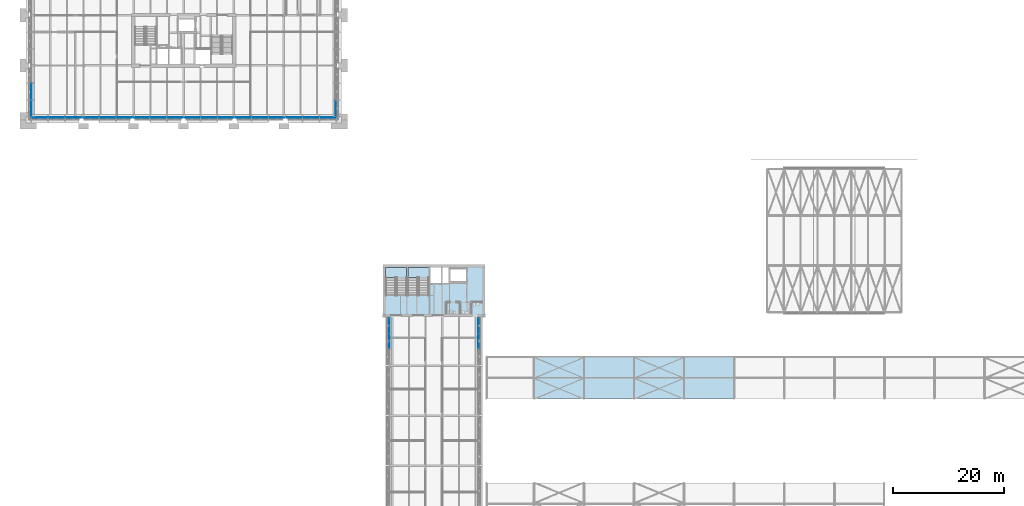
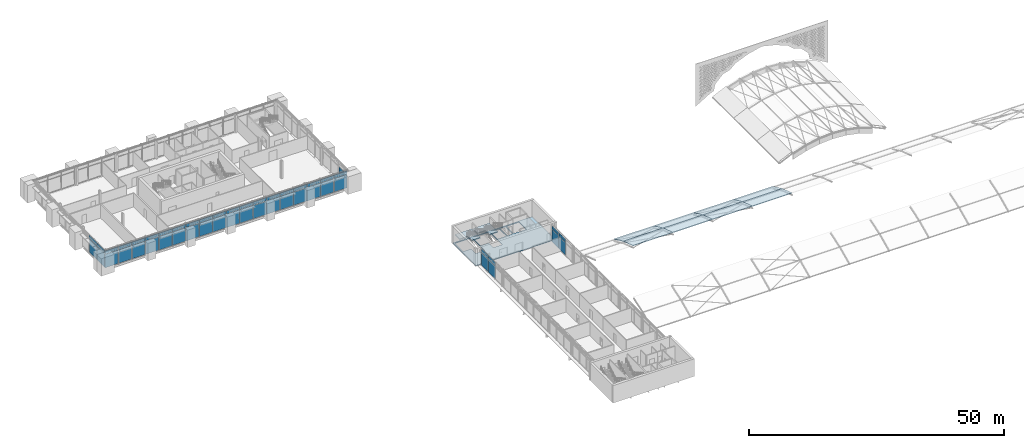
# One storey, part 18 of 54: 49 plates, 11 slabs, 7 elements without a shape of their own.
"""IFC4 building model written with IfcOpenShell, lengths in metres."""

from ifc_helpers import new_model, si_unit, direction, frame, origin, origin_2d, place, context, subcontext, project, spatial, polyline, rectangle, outline, extrude, material, layer, layer_set, type_object, element, aggregate, save


model = new_model("IFC4")

# Units and contexts
model_context = context("Model", 3, precision=1e-05, world=origin(), true_north=direction((0.0, 1.0)))
body_context = subcontext(model_context, "Body", "Model", "MODEL_VIEW")
ifc_project = project(units=[si_unit("LENGTHUNIT", "METRE"), si_unit("AREAUNIT", "SQUARE_METRE"), si_unit("VOLUMEUNIT", "CUBIC_METRE"), si_unit("PLANEANGLEUNIT", "RADIAN"), si_unit("MASSUNIT", "GRAM", prefix="KILO")], contexts=[model_context])

# Site, building, storey
site_placement = place(None, origin())
site = spatial("IfcSite", under=ifc_project, at=site_placement, CompositionType="ELEMENT")
building_placement = place(site_placement, origin())
building = spatial("IfcBuilding", under=site, at=building_placement, Name="Baradari Gate Terminus", CompositionType="ELEMENT")
storey_placement = place(building_placement, frame((0.0, 0.0, 15.89990234375)))
storey = spatial("IfcBuildingStorey", under=building, at=storey_placement, Name="L03", CompositionType="ELEMENT", Elevation=15.89990234375)

# Curtain wall, plates
ifc_material_1 = material(Name="Aluminium 6063-T6", Category="aluminium")
curtain_wall_type_1 = type_object("IfcCurtainWallType", Name="Curtain wall CW-1 block unitised, zone L02-L05", PredefinedType="NOTDEFINED", material=ifc_material_1)
curtain_wall_1_placement = place(storey_placement, origin())
curtain_wall_1 = element("IfcCurtainWall", 1, at=curtain_wall_1_placement, inside=storey, type_object=curtain_wall_type_1, Name="Curtain wall CW-1 Operations block S face L03", PredefinedType="NOTDEFINED")
ifc_material_2 = material(Name="Insulating glass unit", Category="glass")
ifc_layer_1 = layer(ifc_material_2, 0.030029296875)
ifc_layer_set_1 = layer_set([ifc_layer_1], Name="Insulating glass unit")
plate_type_1 = type_object("IfcPlateType", Name="Curtain wall glazing unit CP-1 30", PredefinedType="CURTAIN_PANEL", material=ifc_layer_set_1)
plate_1_placement = place(storey_placement, frame((10.072265625, 116.6298828125, 0.06494140625), z_axis=(0.0, 0.0, 1.0), x_axis=(1.0, 0.0, 0.0)))
plate_1 = element("IfcPlate", 2, at=plate_1_placement, type_object=plate_type_1, Name="CW-1 panel 1.1", PredefinedType="CURTAIN_PANEL", context=body_context, shape_type="SweptSolid", body=[
    extrude(rectangle(XDim=2.954833984375, YDim=0.030029296875, at=origin_2d()), origin(), (0.0, 0.0, 1.0), 3.202392578125),
])
plate_2_placement = place(storey_placement, frame((13.1083984375, 116.6298828125, 0.06494140625), z_axis=(0.0, 0.0, 1.0), x_axis=(1.0, 0.0, 0.0)))
plate_2 = element("IfcPlate", 3, at=plate_2_placement, type_object=plate_type_1, Name="CW-1 panel 2.1", PredefinedType="CURTAIN_PANEL", context=body_context, shape_type="SweptSolid", body=[
    extrude(rectangle(XDim=2.9873046875, YDim=0.030029296875, at=origin_2d()), origin(), (0.0, 0.0, 1.0), 3.202392578125),
])
plate_3_placement = place(storey_placement, frame((16.16064453125, 116.6298828125, 0.06494140625), z_axis=(0.0, 0.0, 1.0), x_axis=(1.0, 0.0, 0.0)))
plate_3 = element("IfcPlate", 4, at=plate_3_placement, type_object=plate_type_1, Name="CW-1 panel 3.1", PredefinedType="CURTAIN_PANEL", context=body_context, shape_type="SweptSolid", body=[
    extrude(rectangle(XDim=2.9873046875, YDim=0.030029296875, at=origin_2d()), origin(), (0.0, 0.0, 1.0), 3.202392578125),
])
plate_4_placement = place(storey_placement, frame((19.212890625, 116.6298828125, 0.06494140625), z_axis=(0.0, 0.0, 1.0), x_axis=(1.0, 0.0, 0.0)))
plate_4 = element("IfcPlate", 5, at=plate_4_placement, type_object=plate_type_1, Name="CW-1 panel 4.1", PredefinedType="CURTAIN_PANEL", context=body_context, shape_type="SweptSolid", body=[
    extrude(rectangle(XDim=2.9873046875, YDim=0.030029296875, at=origin_2d()), origin(), (0.0, 0.0, 1.0), 3.202392578125),
])
plate_5_placement = place(storey_placement, frame((22.264892578125, 116.6298828125, 0.06494140625), z_axis=(0.0, 0.0, 1.0), x_axis=(1.0, 0.0, 0.0)))
plate_5 = element("IfcPlate", 6, at=plate_5_placement, type_object=plate_type_1, Name="CW-1 panel 5.1", PredefinedType="CURTAIN_PANEL", context=body_context, shape_type="SweptSolid", body=[
    extrude(rectangle(XDim=2.9873046875, YDim=0.030029296875, at=origin_2d()), origin(), (0.0, 0.0, 1.0), 3.202392578125),
])
plate_6_placement = place(storey_placement, frame((25.317138671875, 116.6298828125, 0.06494140625), z_axis=(0.0, 0.0, 1.0), x_axis=(1.0, 0.0, 0.0)))
plate_6 = element("IfcPlate", 7, at=plate_6_placement, type_object=plate_type_1, Name="CW-1 panel 6.1", PredefinedType="CURTAIN_PANEL", context=body_context, shape_type="SweptSolid", body=[
    extrude(rectangle(XDim=2.9873046875, YDim=0.030029296875, at=origin_2d()), origin(), (0.0, 0.0, 1.0), 3.202392578125),
])
plate_7_placement = place(storey_placement, frame((28.369384765625, 116.6298828125, 0.06494140625), z_axis=(0.0, 0.0, 1.0), x_axis=(1.0, 0.0, 0.0)))
plate_7 = element("IfcPlate", 8, at=plate_7_placement, type_object=plate_type_1, Name="CW-1 panel 7.1", PredefinedType="CURTAIN_PANEL", context=body_context, shape_type="SweptSolid", body=[
    extrude(rectangle(XDim=2.9873046875, YDim=0.030029296875, at=origin_2d()), origin(), (0.0, 0.0, 1.0), 3.202392578125),
])
plate_8_placement = place(storey_placement, frame((31.421630859375, 116.6298828125, 0.06494140625), z_axis=(0.0, 0.0, 1.0), x_axis=(1.0, 0.0, 0.0)))
plate_8 = element("IfcPlate", 9, at=plate_8_placement, type_object=plate_type_1, Name="CW-1 panel 8.1", PredefinedType="CURTAIN_PANEL", context=body_context, shape_type="SweptSolid", body=[
    extrude(rectangle(XDim=2.9873046875, YDim=0.030029296875, at=origin_2d()), origin(), (0.0, 0.0, 1.0), 3.202392578125),
])
plate_9_placement = place(storey_placement, frame((34.473876953125, 116.6298828125, 0.06494140625), z_axis=(0.0, 0.0, 1.0), x_axis=(1.0, 0.0, 0.0)))
plate_9 = element("IfcPlate", 10, at=plate_9_placement, type_object=plate_type_1, Name="CW-1 panel 9.1", PredefinedType="CURTAIN_PANEL", context=body_context, shape_type="SweptSolid", body=[
    extrude(rectangle(XDim=2.9873046875, YDim=0.030029296875, at=origin_2d()), origin(), (0.0, 0.0, 1.0), 3.202392578125),
])
plate_10_placement = place(storey_placement, frame((37.526123046875, 116.6298828125, 0.06494140625), z_axis=(0.0, 0.0, 1.0), x_axis=(1.0, 0.0, 0.0)))
plate_10 = element("IfcPlate", 11, at=plate_10_placement, type_object=plate_type_1, Name="CW-1 panel 10.1", PredefinedType="CURTAIN_PANEL", context=body_context, shape_type="SweptSolid", body=[
    extrude(rectangle(XDim=2.9873046875, YDim=0.030029296875, at=origin_2d()), origin(), (0.0, 0.0, 1.0), 3.202392578125),
])
plate_11_placement = place(storey_placement, frame((40.578369140625, 116.6298828125, 0.06494140625), z_axis=(0.0, 0.0, 1.0), x_axis=(1.0, 0.0, 0.0)))
plate_11 = element("IfcPlate", 12, at=plate_11_placement, type_object=plate_type_1, Name="CW-1 panel 11.1", PredefinedType="CURTAIN_PANEL", context=body_context, shape_type="SweptSolid", body=[
    extrude(rectangle(XDim=2.9873046875, YDim=0.030029296875, at=origin_2d()), origin(), (0.0, 0.0, 1.0), 3.202392578125),
])
plate_12_placement = place(storey_placement, frame((43.630615234375, 116.6298828125, 0.06494140625), z_axis=(0.0, 0.0, 1.0), x_axis=(1.0, 0.0, 0.0)))
plate_12 = element("IfcPlate", 13, at=plate_12_placement, type_object=plate_type_1, Name="CW-1 panel 12.1", PredefinedType="CURTAIN_PANEL", context=body_context, shape_type="SweptSolid", body=[
    extrude(rectangle(XDim=2.9873046875, YDim=0.030029296875, at=origin_2d()), origin(), (0.0, 0.0, 1.0), 3.202392578125),
])
plate_13_placement = place(storey_placement, frame((46.682861328125, 116.6298828125, 0.06494140625), z_axis=(0.0, 0.0, 1.0), x_axis=(1.0, 0.0, 0.0)))
plate_13 = element("IfcPlate", 14, at=plate_13_placement, type_object=plate_type_1, Name="CW-1 panel 13.1", PredefinedType="CURTAIN_PANEL", context=body_context, shape_type="SweptSolid", body=[
    extrude(rectangle(XDim=2.9873046875, YDim=0.030029296875, at=origin_2d()), origin(), (0.0, 0.0, 1.0), 3.202392578125),
])
plate_14_placement = place(storey_placement, frame((49.735107421875, 116.6298828125, 0.06494140625), z_axis=(0.0, 0.0, 1.0), x_axis=(1.0, 0.0, 0.0)))
plate_14 = element("IfcPlate", 15, at=plate_14_placement, type_object=plate_type_1, Name="CW-1 panel 14.1", PredefinedType="CURTAIN_PANEL", context=body_context, shape_type="SweptSolid", body=[
    extrude(rectangle(XDim=2.9873046875, YDim=0.030029296875, at=origin_2d()), origin(), (0.0, 0.0, 1.0), 3.202392578125),
])
plate_15_placement = place(storey_placement, frame((52.787109375, 116.6298828125, 0.06494140625), z_axis=(0.0, 0.0, 1.0), x_axis=(1.0, 0.0, 0.0)))
plate_15 = element("IfcPlate", 16, at=plate_15_placement, type_object=plate_type_1, Name="CW-1 panel 15.1", PredefinedType="CURTAIN_PANEL", context=body_context, shape_type="SweptSolid", body=[
    extrude(rectangle(XDim=2.9873046875, YDim=0.030029296875, at=origin_2d()), origin(), (0.0, 0.0, 1.0), 3.202392578125),
])
plate_16_placement = place(storey_placement, frame((55.83935546875, 116.6298828125, 0.06494140625), z_axis=(0.0, 0.0, 1.0), x_axis=(1.0, 0.0, 0.0)))
plate_16 = element("IfcPlate", 17, at=plate_16_placement, type_object=plate_type_1, Name="CW-1 panel 16.1", PredefinedType="CURTAIN_PANEL", context=body_context, shape_type="SweptSolid", body=[
    extrude(rectangle(XDim=2.9873046875, YDim=0.030029296875, at=origin_2d()), origin(), (0.0, 0.0, 1.0), 3.202392578125),
])
plate_17_placement = place(storey_placement, frame((58.8916015625, 116.6298828125, 0.06494140625), z_axis=(0.0, 0.0, 1.0), x_axis=(1.0, 0.0, 0.0)))
plate_17 = element("IfcPlate", 18, at=plate_17_placement, type_object=plate_type_1, Name="CW-1 panel 17.1", PredefinedType="CURTAIN_PANEL", context=body_context, shape_type="SweptSolid", body=[
    extrude(rectangle(XDim=2.9873046875, YDim=0.030029296875, at=origin_2d()), origin(), (0.0, 0.0, 1.0), 3.202392578125),
])
plate_18_placement = place(storey_placement, frame((61.927734375, 116.6298828125, 0.06494140625), z_axis=(0.0, 0.0, 1.0), x_axis=(1.0, 0.0, 0.0)))
plate_18 = element("IfcPlate", 19, at=plate_18_placement, type_object=plate_type_1, Name="CW-1 panel 18.1", PredefinedType="CURTAIN_PANEL", context=body_context, shape_type="SweptSolid", body=[
    extrude(rectangle(XDim=2.954833984375, YDim=0.030029296875, at=origin_2d()), origin(), (0.0, 0.0, 1.0), 3.202392578125),
])

curtain_wall_2_placement = place(storey_placement, origin())
curtain_wall_2 = element("IfcCurtainWall", 20, at=curtain_wall_2_placement, inside=storey, type_object=curtain_wall_type_1, Name="Curtain wall CW-1 Operations block W face L03", PredefinedType="NOTDEFINED")
plate_19_placement = place(storey_placement, frame((8.6298828125, 118.2763671875, 0.06494140625), z_axis=(0.0, 0.0, 1.0), x_axis=(0.0, 1.0, 0.0)))
plate_19 = element("IfcPlate", 21, at=plate_19_placement, type_object=plate_type_1, Name="CW-1 panel 1.1", PredefinedType="CURTAIN_PANEL", context=body_context, shape_type="SweptSolid", body=[
    extrude(rectangle(XDim=2.96240234375, YDim=0.030029296875, at=origin_2d()), origin(), (0.0, 0.0, 1.0), 3.202392578125),
])
plate_20_placement = place(storey_placement, frame((8.6298828125, 121.320068359375, 0.06494140625), z_axis=(0.0, 0.0, 1.0), x_axis=(0.0, 1.0, 0.0)))
plate_20 = element("IfcPlate", 22, at=plate_20_placement, type_object=plate_type_1, Name="CW-1 panel 2.1", PredefinedType="CURTAIN_PANEL", context=body_context, shape_type="SweptSolid", body=[
    extrude(rectangle(XDim=2.9951171875, YDim=0.030029296875, at=origin_2d()), origin(), (0.0, 0.0, 1.0), 3.202392578125),
])

# Curtain wall, plate
curtain_wall_3_placement = place(storey_placement, origin())
curtain_wall_3 = element("IfcCurtainWall", 23, at=curtain_wall_3_placement, inside=storey, type_object=curtain_wall_type_1, Name="Curtain wall CW-1 Operations block E face L03", PredefinedType="NOTDEFINED")
plate_21_placement = place(storey_placement, frame((63.3701171875, 118.2763671875, 0.06494140625), z_axis=(0.0, 0.0, 1.0), x_axis=(0.0, 1.0, 0.0)))
plate_21 = element("IfcPlate", 24, at=plate_21_placement, type_object=plate_type_1, Name="CW-1 panel 1.1", PredefinedType="CURTAIN_PANEL", context=body_context, shape_type="SweptSolid", body=[
    extrude(rectangle(XDim=2.96240234375, YDim=0.030029296875, at=origin_2d()), origin(), (0.0, 0.0, 1.0), 3.202392578125),
])
aggregate(curtain_wall_3, [plate_21])

# Plate
ifc_material_3 = material(Name="Back-painted glass", Category="glass")
ifc_layer_2 = layer(ifc_material_3, 0.070068359375)
ifc_layer_set_2 = layer_set([ifc_layer_2], Name="Back-painted glass")
plate_type_2 = type_object("IfcPlateType", Name="Curtain wall spandrel panel CP-S1 70", PredefinedType="CURTAIN_PANEL", material=ifc_layer_set_2)
plate_22_placement = place(storey_placement, frame((10.072265625, 116.6298828125, 3.33251953125), z_axis=(0.0, 0.0, 1.0), x_axis=(1.0, 0.0, 0.0)))
plate_22 = element("IfcPlate", 25, at=plate_22_placement, type_object=plate_type_2, Name="CW-1 spandrel panel 1.2", PredefinedType="CURTAIN_PANEL", context=body_context, shape_type="SweptSolid", body=[
    extrude(rectangle(XDim=2.954833984375, YDim=0.070068359375, at=origin_2d()), origin(), (0.0, 0.0, 1.0), 0.802490234375),
])

plate_23_placement = place(storey_placement, frame((13.1083984375, 116.6298828125, 3.33251953125), z_axis=(0.0, 0.0, 1.0), x_axis=(1.0, 0.0, 0.0)))
plate_23 = element("IfcPlate", 26, at=plate_23_placement, type_object=plate_type_2, Name="CW-1 spandrel panel 2.2", PredefinedType="CURTAIN_PANEL", context=body_context, shape_type="SweptSolid", body=[
    extrude(rectangle(XDim=2.9873046875, YDim=0.070068359375, at=origin_2d()), origin(), (0.0, 0.0, 1.0), 0.802490234375),
])

plate_24_placement = place(storey_placement, frame((16.16064453125, 116.6298828125, 3.33251953125), z_axis=(0.0, 0.0, 1.0), x_axis=(1.0, 0.0, 0.0)))
plate_24 = element("IfcPlate", 27, at=plate_24_placement, type_object=plate_type_2, Name="CW-1 spandrel panel 3.2", PredefinedType="CURTAIN_PANEL", context=body_context, shape_type="SweptSolid", body=[
    extrude(rectangle(XDim=2.9873046875, YDim=0.070068359375, at=origin_2d()), origin(), (0.0, 0.0, 1.0), 0.802490234375),
])

plate_25_placement = place(storey_placement, frame((19.212890625, 116.6298828125, 3.33251953125), z_axis=(0.0, 0.0, 1.0), x_axis=(1.0, 0.0, 0.0)))
plate_25 = element("IfcPlate", 28, at=plate_25_placement, type_object=plate_type_2, Name="CW-1 spandrel panel 4.2", PredefinedType="CURTAIN_PANEL", context=body_context, shape_type="SweptSolid", body=[
    extrude(rectangle(XDim=2.9873046875, YDim=0.070068359375, at=origin_2d()), origin(), (0.0, 0.0, 1.0), 0.802490234375),
])

plate_26_placement = place(storey_placement, frame((22.264892578125, 116.6298828125, 3.33251953125), z_axis=(0.0, 0.0, 1.0), x_axis=(1.0, 0.0, 0.0)))
plate_26 = element("IfcPlate", 29, at=plate_26_placement, type_object=plate_type_2, Name="CW-1 spandrel panel 5.2", PredefinedType="CURTAIN_PANEL", context=body_context, shape_type="SweptSolid", body=[
    extrude(rectangle(XDim=2.9873046875, YDim=0.070068359375, at=origin_2d()), origin(), (0.0, 0.0, 1.0), 0.802490234375),
])

plate_27_placement = place(storey_placement, frame((25.317138671875, 116.6298828125, 3.33251953125), z_axis=(0.0, 0.0, 1.0), x_axis=(1.0, 0.0, 0.0)))
plate_27 = element("IfcPlate", 30, at=plate_27_placement, type_object=plate_type_2, Name="CW-1 spandrel panel 6.2", PredefinedType="CURTAIN_PANEL", context=body_context, shape_type="SweptSolid", body=[
    extrude(rectangle(XDim=2.9873046875, YDim=0.070068359375, at=origin_2d()), origin(), (0.0, 0.0, 1.0), 0.802490234375),
])

plate_28_placement = place(storey_placement, frame((28.369384765625, 116.6298828125, 3.33251953125), z_axis=(0.0, 0.0, 1.0), x_axis=(1.0, 0.0, 0.0)))
plate_28 = element("IfcPlate", 31, at=plate_28_placement, type_object=plate_type_2, Name="CW-1 spandrel panel 7.2", PredefinedType="CURTAIN_PANEL", context=body_context, shape_type="SweptSolid", body=[
    extrude(rectangle(XDim=2.9873046875, YDim=0.070068359375, at=origin_2d()), origin(), (0.0, 0.0, 1.0), 0.802490234375),
])

plate_29_placement = place(storey_placement, frame((31.421630859375, 116.6298828125, 3.33251953125), z_axis=(0.0, 0.0, 1.0), x_axis=(1.0, 0.0, 0.0)))
plate_29 = element("IfcPlate", 32, at=plate_29_placement, type_object=plate_type_2, Name="CW-1 spandrel panel 8.2", PredefinedType="CURTAIN_PANEL", context=body_context, shape_type="SweptSolid", body=[
    extrude(rectangle(XDim=2.9873046875, YDim=0.070068359375, at=origin_2d()), origin(), (0.0, 0.0, 1.0), 0.802490234375),
])

plate_30_placement = place(storey_placement, frame((34.473876953125, 116.6298828125, 3.33251953125), z_axis=(0.0, 0.0, 1.0), x_axis=(1.0, 0.0, 0.0)))
plate_30 = element("IfcPlate", 33, at=plate_30_placement, type_object=plate_type_2, Name="CW-1 spandrel panel 9.2", PredefinedType="CURTAIN_PANEL", context=body_context, shape_type="SweptSolid", body=[
    extrude(rectangle(XDim=2.9873046875, YDim=0.070068359375, at=origin_2d()), origin(), (0.0, 0.0, 1.0), 0.802490234375),
])

plate_31_placement = place(storey_placement, frame((37.526123046875, 116.6298828125, 3.33251953125), z_axis=(0.0, 0.0, 1.0), x_axis=(1.0, 0.0, 0.0)))
plate_31 = element("IfcPlate", 34, at=plate_31_placement, type_object=plate_type_2, Name="CW-1 spandrel panel 10.2", PredefinedType="CURTAIN_PANEL", context=body_context, shape_type="SweptSolid", body=[
    extrude(rectangle(XDim=2.9873046875, YDim=0.070068359375, at=origin_2d()), origin(), (0.0, 0.0, 1.0), 0.802490234375),
])

plate_32_placement = place(storey_placement, frame((40.578369140625, 116.6298828125, 3.33251953125), z_axis=(0.0, 0.0, 1.0), x_axis=(1.0, 0.0, 0.0)))
plate_32 = element("IfcPlate", 35, at=plate_32_placement, type_object=plate_type_2, Name="CW-1 spandrel panel 11.2", PredefinedType="CURTAIN_PANEL", context=body_context, shape_type="SweptSolid", body=[
    extrude(rectangle(XDim=2.9873046875, YDim=0.070068359375, at=origin_2d()), origin(), (0.0, 0.0, 1.0), 0.802490234375),
])

plate_33_placement = place(storey_placement, frame((43.630615234375, 116.6298828125, 3.33251953125), z_axis=(0.0, 0.0, 1.0), x_axis=(1.0, 0.0, 0.0)))
plate_33 = element("IfcPlate", 36, at=plate_33_placement, type_object=plate_type_2, Name="CW-1 spandrel panel 12.2", PredefinedType="CURTAIN_PANEL", context=body_context, shape_type="SweptSolid", body=[
    extrude(rectangle(XDim=2.9873046875, YDim=0.070068359375, at=origin_2d()), origin(), (0.0, 0.0, 1.0), 0.802490234375),
])

plate_34_placement = place(storey_placement, frame((46.682861328125, 116.6298828125, 3.33251953125), z_axis=(0.0, 0.0, 1.0), x_axis=(1.0, 0.0, 0.0)))
plate_34 = element("IfcPlate", 37, at=plate_34_placement, type_object=plate_type_2, Name="CW-1 spandrel panel 13.2", PredefinedType="CURTAIN_PANEL", context=body_context, shape_type="SweptSolid", body=[
    extrude(rectangle(XDim=2.9873046875, YDim=0.070068359375, at=origin_2d()), origin(), (0.0, 0.0, 1.0), 0.802490234375),
])

plate_35_placement = place(storey_placement, frame((49.735107421875, 116.6298828125, 3.33251953125), z_axis=(0.0, 0.0, 1.0), x_axis=(1.0, 0.0, 0.0)))
plate_35 = element("IfcPlate", 38, at=plate_35_placement, type_object=plate_type_2, Name="CW-1 spandrel panel 14.2", PredefinedType="CURTAIN_PANEL", context=body_context, shape_type="SweptSolid", body=[
    extrude(rectangle(XDim=2.9873046875, YDim=0.070068359375, at=origin_2d()), origin(), (0.0, 0.0, 1.0), 0.802490234375),
])

plate_36_placement = place(storey_placement, frame((52.787109375, 116.6298828125, 3.33251953125), z_axis=(0.0, 0.0, 1.0), x_axis=(1.0, 0.0, 0.0)))
plate_36 = element("IfcPlate", 39, at=plate_36_placement, type_object=plate_type_2, Name="CW-1 spandrel panel 15.2", PredefinedType="CURTAIN_PANEL", context=body_context, shape_type="SweptSolid", body=[
    extrude(rectangle(XDim=2.9873046875, YDim=0.070068359375, at=origin_2d()), origin(), (0.0, 0.0, 1.0), 0.802490234375),
])

plate_37_placement = place(storey_placement, frame((55.83935546875, 116.6298828125, 3.33251953125), z_axis=(0.0, 0.0, 1.0), x_axis=(1.0, 0.0, 0.0)))
plate_37 = element("IfcPlate", 40, at=plate_37_placement, type_object=plate_type_2, Name="CW-1 spandrel panel 16.2", PredefinedType="CURTAIN_PANEL", context=body_context, shape_type="SweptSolid", body=[
    extrude(rectangle(XDim=2.9873046875, YDim=0.070068359375, at=origin_2d()), origin(), (0.0, 0.0, 1.0), 0.802490234375),
])

plate_38_placement = place(storey_placement, frame((58.8916015625, 116.6298828125, 3.33251953125), z_axis=(0.0, 0.0, 1.0), x_axis=(1.0, 0.0, 0.0)))
plate_38 = element("IfcPlate", 41, at=plate_38_placement, type_object=plate_type_2, Name="CW-1 spandrel panel 17.2", PredefinedType="CURTAIN_PANEL", context=body_context, shape_type="SweptSolid", body=[
    extrude(rectangle(XDim=2.9873046875, YDim=0.070068359375, at=origin_2d()), origin(), (0.0, 0.0, 1.0), 0.802490234375),
])

plate_39_placement = place(storey_placement, frame((61.927734375, 116.6298828125, 3.33251953125), z_axis=(0.0, 0.0, 1.0), x_axis=(1.0, 0.0, 0.0)))
plate_39 = element("IfcPlate", 42, at=plate_39_placement, type_object=plate_type_2, Name="CW-1 spandrel panel 18.2", PredefinedType="CURTAIN_PANEL", context=body_context, shape_type="SweptSolid", body=[
    extrude(rectangle(XDim=2.954833984375, YDim=0.070068359375, at=origin_2d()), origin(), (0.0, 0.0, 1.0), 0.802490234375),
])

aggregate(curtain_wall_1, [plate_1, plate_22, plate_2, plate_23, plate_3, plate_24, plate_4, plate_25, plate_5, plate_26, plate_6, plate_27, plate_7, plate_28, plate_8, plate_29, plate_9, plate_30, plate_10, plate_31, plate_11, plate_32, plate_12, plate_33, plate_13, plate_34, plate_14, plate_35, plate_15, plate_36, plate_16, plate_37, plate_17, plate_38, plate_18, plate_39])

plate_40_placement = place(storey_placement, frame((8.6298828125, 118.2763671875, 3.33251953125), z_axis=(0.0, 0.0, 1.0), x_axis=(0.0, 1.0, 0.0)))
plate_40 = element("IfcPlate", 43, at=plate_40_placement, type_object=plate_type_2, Name="CW-1 spandrel panel 1.2", PredefinedType="CURTAIN_PANEL", context=body_context, shape_type="SweptSolid", body=[
    extrude(rectangle(XDim=2.96240234375, YDim=0.070068359375, at=origin_2d()), origin(), (0.0, 0.0, 1.0), 0.802490234375),
])

plate_41_placement = place(storey_placement, frame((8.6298828125, 121.320068359375, 3.33251953125), z_axis=(0.0, 0.0, 1.0), x_axis=(0.0, 1.0, 0.0)))
plate_41 = element("IfcPlate", 44, at=plate_41_placement, type_object=plate_type_2, Name="CW-1 spandrel panel 2.2", PredefinedType="CURTAIN_PANEL", context=body_context, shape_type="SweptSolid", body=[
    extrude(rectangle(XDim=2.9951171875, YDim=0.070068359375, at=origin_2d()), origin(), (0.0, 0.0, 1.0), 0.802490234375),
])

aggregate(curtain_wall_2, [plate_19, plate_40, plate_20, plate_41])

# Curtain wall, plates
ifc_material_4 = material(Name="Aluminium 6063-T6", Category="aluminium")
curtain_wall_type_2 = type_object("IfcCurtainWallType", Name="Curtain wall CW-3 gate face, office floors", PredefinedType="NOTDEFINED", material=ifc_material_4)
curtain_wall_4_placement = place(storey_placement, origin())
curtain_wall_4 = element("IfcCurtainWall", 45, at=curtain_wall_4_placement, inside=storey, type_object=curtain_wall_type_2, Name="Curtain wall CW-3 gate west face L03 bay 5", PredefinedType="NOTDEFINED")
ifc_material_5 = material(Name="Back-painted glass", Category="glass")
ifc_layer_3 = layer(ifc_material_5, 0.080078125)
ifc_layer_set_3 = layer_set([ifc_layer_3], Name="Back-painted glass")
plate_type_3 = type_object("IfcPlateType", Name="Curtain wall spandrel panel CP-S3 80", PredefinedType="CURTAIN_PANEL", material=ifc_layer_set_3)
plate_42_placement = place(storey_placement, frame((73.02490234375, 76.425048828125, 0.080078125), z_axis=(0.0, 0.0, 1.0), x_axis=(0.0, 1.0, 0.0)))
plate_42 = element("IfcPlate", 46, at=plate_42_placement, type_object=plate_type_3, Name="CW-3 spandrel panel 2.1", PredefinedType="CURTAIN_PANEL", context=body_context, shape_type="SweptSolid", body=[
    extrude(rectangle(XDim=2.703369140625, YDim=0.080078125, at=origin_2d()), origin(), (0.0, 0.0, 1.0), 3.030029296875),
])
plate_43_placement = place(storey_placement, frame((73.02490234375, 76.425048828125, 3.18994140625), z_axis=(0.0, 0.0, 1.0), x_axis=(0.0, 1.0, 0.0)))
plate_43 = element("IfcPlate", 47, at=plate_43_placement, type_object=plate_type_3, Name="CW-3 spandrel panel 2.2", PredefinedType="CURTAIN_PANEL", context=body_context, shape_type="SweptSolid", body=[
    extrude(rectangle(XDim=2.703369140625, YDim=0.080078125, at=origin_2d()), origin(), (0.0, 0.0, 1.0), 0.780029296875),
])
plate_44_placement = place(storey_placement, frame((73.02490234375, 79.188232421875, 0.080078125), z_axis=(0.0, 0.0, 1.0), x_axis=(0.0, 1.0, 0.0)))
plate_44 = element("IfcPlate", 48, at=plate_44_placement, type_object=plate_type_3, Name="CW-3 spandrel panel 3.1", PredefinedType="CURTAIN_PANEL", context=body_context, shape_type="SweptSolid", body=[
    extrude(rectangle(XDim=2.663330078125, YDim=0.080078125, at=origin_2d()), origin(), (0.0, 0.0, 1.0), 3.030029296875),
])
plate_45_placement = place(storey_placement, frame((73.02490234375, 79.188232421875, 3.18994140625), z_axis=(0.0, 0.0, 1.0), x_axis=(0.0, 1.0, 0.0)))
plate_45 = element("IfcPlate", 49, at=plate_45_placement, type_object=plate_type_3, Name="CW-3 spandrel panel 3.2", PredefinedType="CURTAIN_PANEL", context=body_context, shape_type="SweptSolid", body=[
    extrude(rectangle(XDim=2.663330078125, YDim=0.080078125, at=origin_2d()), origin(), (0.0, 0.0, 1.0), 0.780029296875),
])
aggregate(curtain_wall_4, [plate_42, plate_43, plate_44, plate_45])

curtain_wall_5_placement = place(storey_placement, origin())
curtain_wall_5 = element("IfcCurtainWall", 50, at=curtain_wall_5_placement, inside=storey, type_object=curtain_wall_type_2, Name="Curtain wall CW-3 gate east face L03 bay 5", PredefinedType="NOTDEFINED")
plate_46_placement = place(storey_placement, frame((88.97509765625, 76.425048828125, 0.080078125), z_axis=(0.0, 0.0, 1.0), x_axis=(0.0, 1.0, 0.0)))
plate_46 = element("IfcPlate", 51, at=plate_46_placement, type_object=plate_type_3, Name="CW-3 spandrel panel 2.1", PredefinedType="CURTAIN_PANEL", context=body_context, shape_type="SweptSolid", body=[
    extrude(rectangle(XDim=2.703369140625, YDim=0.080078125, at=origin_2d()), origin(), (0.0, 0.0, 1.0), 3.030029296875),
])
plate_47_placement = place(storey_placement, frame((88.97509765625, 76.425048828125, 3.18994140625), z_axis=(0.0, 0.0, 1.0), x_axis=(0.0, 1.0, 0.0)))
plate_47 = element("IfcPlate", 52, at=plate_47_placement, type_object=plate_type_3, Name="CW-3 spandrel panel 2.2", PredefinedType="CURTAIN_PANEL", context=body_context, shape_type="SweptSolid", body=[
    extrude(rectangle(XDim=2.703369140625, YDim=0.080078125, at=origin_2d()), origin(), (0.0, 0.0, 1.0), 0.780029296875),
])
plate_48_placement = place(storey_placement, frame((88.97509765625, 79.188232421875, 0.080078125), z_axis=(0.0, 0.0, 1.0), x_axis=(0.0, 1.0, 0.0)))
plate_48 = element("IfcPlate", 53, at=plate_48_placement, type_object=plate_type_3, Name="CW-3 spandrel panel 3.1", PredefinedType="CURTAIN_PANEL", context=body_context, shape_type="SweptSolid", body=[
    extrude(rectangle(XDim=2.663330078125, YDim=0.080078125, at=origin_2d()), origin(), (0.0, 0.0, 1.0), 3.030029296875),
])
plate_49_placement = place(storey_placement, frame((88.97509765625, 79.188232421875, 3.18994140625), z_axis=(0.0, 0.0, 1.0), x_axis=(0.0, 1.0, 0.0)))
plate_49 = element("IfcPlate", 54, at=plate_49_placement, type_object=plate_type_3, Name="CW-3 spandrel panel 3.2", PredefinedType="CURTAIN_PANEL", context=body_context, shape_type="SweptSolid", body=[
    extrude(rectangle(XDim=2.663330078125, YDim=0.080078125, at=origin_2d()), origin(), (0.0, 0.0, 1.0), 0.780029296875),
])
aggregate(curtain_wall_5, [plate_46, plate_47, plate_48, plate_49])

# Slabs
ifc_material_6 = material(Name="Concrete C35/45", Category="concrete")
ifc_layer_4 = layer(ifc_material_6, 0.14990234375)
ifc_layer_set_4 = layer_set([ifc_layer_4], Name="Concrete C35/45")
slab_type_1 = type_object("IfcSlabType", Name="Gate floor slab SL11 150", PredefinedType="FLOOR", material=ifc_layer_set_4)
slab_1_placement = place(storey_placement, frame((0.0, 0.0, -0.14990234375)))
element("IfcSlab", 55, at=slab_1_placement, inside=storey, type_object=slab_type_1, Name="Core floor GN", PredefinedType="FLOOR", context=body_context, shape_type="SweptSolid", body=[
    extrude(outline(polyline([(72.0, 81.0), (90.0, 81.0), (90.0, 90.0), (72.0, 90.0), (72.0, 81.0)]), holes=[polyline([(86.800048828125, 86.800048828125), (86.800048828125, 89.699951171875), (83.89990234375, 89.699951171875), (83.89990234375, 86.800048828125), (86.800048828125, 86.800048828125)]), polyline([(83.699951171875, 89.699951171875), (82.5, 89.699951171875), (82.5, 86.800048828125), (83.699951171875, 86.800048828125), (83.699951171875, 89.699951171875)]), polyline([(82.300048828125, 89.699951171875), (80.300048828125, 89.699951171875), (80.300048828125, 86.800048828125), (82.300048828125, 86.800048828125), (82.300048828125, 89.699951171875)]), polyline([(76.300048828125, 89.699951171875), (76.300048828125, 86.419921875), (78.10009765625, 86.419921875), (78.10009765625, 84.60009765625), (80.10009765625, 84.60009765625), (80.10009765625, 89.699951171875), (76.300048828125, 89.699951171875)]), polyline([(72.300048828125, 89.699951171875), (72.300048828125, 86.419921875), (74.10009765625, 86.419921875), (74.10009765625, 84.60009765625), (76.10009765625, 84.60009765625), (76.10009765625, 89.699951171875), (72.300048828125, 89.699951171875)])]), origin(), (0.0, 0.0, 1.0), 0.14990234375),
])
ifc_material_7 = material(Name="Aluminium", Category="aluminium")
ifc_layer_5 = layer(ifc_material_7, 0.1201171875)
ifc_layer_set_5 = layer_set([ifc_layer_5], Name="Aluminium")
slab_type_2 = type_object("IfcSlabType", Name="Shed roof panel", PredefinedType="ROOF", material=ifc_layer_set_5)
slab_2_placement = place(storey_placement, frame((99.0, 66.098876953125, 4.4130859375), z_axis=(0.0, 0.31523827596, 0.949012554906), x_axis=(1.0, 0.0, 0.0)))
element("IfcSlab", 56, at=slab_2_placement, inside=storey, type_object=slab_type_2, Name="RF/L03/B108-RP08", PredefinedType="ROOF", context=body_context, shape_type="SweptSolid", body=[
    extrude(outline(polyline([(0.0, 0.0), (9.0, 0.0), (9.0, 3.9977820028684787), (0.0, 3.9977820028684787), (0.0, 0.0)])), origin(), (0.0, 0.0, -1.0), 0.1201171875),
])
slab_3_placement = place(storey_placement, frame((99.0, 69.892822265625, 3.15283203125), z_axis=(0.0, 0.421791081553, 0.906693048127), x_axis=(1.0, 0.0, 0.0)))
element("IfcSlab", 57, at=slab_3_placement, inside=storey, type_object=slab_type_2, Name="RF/L03/B108-RP09", PredefinedType="ROOF", context=body_context, shape_type="SweptSolid", body=[
    extrude(outline(polyline([(0.0, 0.0), (9.0, 0.0), (9.0, 4.177914394871225), (0.0, 4.177914394871225), (0.0, 0.0)])), origin(), (0.0, 0.0, -1.0), 0.1201171875),
])
slab_4_placement = place(storey_placement, frame((108.0, 66.098876953125, 4.4130859375), z_axis=(0.0, 0.31523827596, 0.949012554906), x_axis=(1.0, 0.0, 0.0)))
element("IfcSlab", 58, at=slab_4_placement, inside=storey, type_object=slab_type_2, Name="RF/L03/B117-RP08", PredefinedType="ROOF", context=body_context, shape_type="SweptSolid", body=[
    extrude(outline(polyline([(0.0, 0.0), (9.0, 0.0), (9.0, 3.9977820028684787), (0.0, 3.9977820028684787), (0.0, 0.0)])), origin(), (0.0, 0.0, -1.0), 0.1201171875),
])
slab_5_placement = place(storey_placement, frame((108.0, 69.892822265625, 3.15283203125), z_axis=(0.0, 0.421791081553, 0.906693048127), x_axis=(1.0, 0.0, 0.0)))
element("IfcSlab", 59, at=slab_5_placement, inside=storey, type_object=slab_type_2, Name="RF/L03/B117-RP09", PredefinedType="ROOF", context=body_context, shape_type="SweptSolid", body=[
    extrude(outline(polyline([(0.0, 0.0), (9.0, 0.0), (9.0, 4.177914394871225), (0.0, 4.177914394871225), (0.0, 0.0)])), origin(), (0.0, 0.0, -1.0), 0.1201171875),
])
slab_6_placement = place(storey_placement, frame((117.0, 66.098876953125, 4.4130859375), z_axis=(0.0, 0.31523827596, 0.949012554906), x_axis=(1.0, 0.0, 0.0)))
element("IfcSlab", 60, at=slab_6_placement, inside=storey, type_object=slab_type_2, Name="RF/L03/B126-RP08", PredefinedType="ROOF", context=body_context, shape_type="SweptSolid", body=[
    extrude(outline(polyline([(0.0, 0.0), (9.0, 0.0), (9.0, 3.9977820028684787), (0.0, 3.9977820028684787), (0.0, 0.0)])), origin(), (0.0, 0.0, -1.0), 0.1201171875),
])
slab_7_placement = place(storey_placement, frame((117.0, 69.892822265625, 3.15283203125), z_axis=(0.0, 0.421791081553, 0.906693048127), x_axis=(1.0, 0.0, 0.0)))
element("IfcSlab", 61, at=slab_7_placement, inside=storey, type_object=slab_type_2, Name="RF/L03/B126-RP09", PredefinedType="ROOF", context=body_context, shape_type="SweptSolid", body=[
    extrude(outline(polyline([(0.0, 0.0), (9.0, 0.0), (9.0, 4.177914394871225), (0.0, 4.177914394871225), (0.0, 0.0)])), origin(), (0.0, 0.0, -1.0), 0.1201171875),
])
slab_8_placement = place(storey_placement, frame((126.0, 66.098876953125, 4.4130859375), z_axis=(0.0, 0.31523827596, 0.949012554906), x_axis=(1.0, 0.0, 0.0)))
element("IfcSlab", 62, at=slab_8_placement, inside=storey, type_object=slab_type_2, Name="RF/L03/B135-RP08", PredefinedType="ROOF", context=body_context, shape_type="SweptSolid", body=[
    extrude(outline(polyline([(0.0, 0.0), (9.0, 0.0), (9.0, 3.9977820028684787), (0.0, 3.9977820028684787), (0.0, 0.0)])), origin(), (0.0, 0.0, -1.0), 0.1201171875),
])
slab_9_placement = place(storey_placement, frame((126.0, 69.892822265625, 3.15283203125), z_axis=(0.0, 0.421791081553, 0.906693048127), x_axis=(1.0, 0.0, 0.0)))
element("IfcSlab", 63, at=slab_9_placement, inside=storey, type_object=slab_type_2, Name="RF/L03/B135-RP09", PredefinedType="ROOF", context=body_context, shape_type="SweptSolid", body=[
    extrude(outline(polyline([(0.0, 0.0), (9.0, 0.0), (9.0, 4.177914394871225), (0.0, 4.177914394871225), (0.0, 0.0)])), origin(), (0.0, 0.0, -1.0), 0.1201171875),
])

# Stair, slab
ifc_material_8 = material(Name="Concrete C32/40", Category="concrete")
stair_type_1 = type_object("IfcStairType", Name="Exit stair ST-GN1 riser 175 x 1800", PredefinedType="HALF_TURN_STAIR", material=ifc_material_8)
stair_1_placement = place(storey_placement, origin())
stair_1 = element("IfcStair", 64, at=stair_1_placement, inside=storey, type_object=stair_type_1, Name="Stair ST-GN1 L03 to L04", PredefinedType="HALF_TURN_STAIR")
ifc_material_9 = material(Name="Concrete C32/40", Category="concrete")
ifc_layer_6 = layer(ifc_material_9, 0.25)
ifc_layer_set_6 = layer_set([ifc_layer_6], Name="Concrete C32/40")
slab_type_3 = type_object("IfcSlabType", Name="Stair landing LS-5 250", PredefinedType="LANDING", material=ifc_layer_set_6)
slab_10_placement = place(storey_placement, frame((0.0, 0.0, 1.85009765625)))
slab_10 = element("IfcSlab", 65, at=slab_10_placement, type_object=slab_type_3, Name="ST-GN1 landing 1", PredefinedType="LANDING", context=body_context, shape_type="SweptSolid", body=[
    extrude(outline(polyline([(72.300048828125, 89.699951171875), (72.300048828125, 87.8798828125), (74.10009765625, 87.8798828125), (74.10009765625, 86.364990234375), (74.300048828125, 86.364990234375), (76.10009765625, 86.364990234375), (76.10009765625, 89.699951171875), (72.300048828125, 89.699951171875)])), origin(), (0.0, 0.0, 1.0), 0.25),
])
aggregate(stair_1, [slab_10])

ifc_material_10 = material(Name="Concrete C32/40", Category="concrete")
stair_type_2 = type_object("IfcStairType", Name="Exit stair ST-GN2 riser 175 x 1800", PredefinedType="HALF_TURN_STAIR", material=ifc_material_10)
stair_2_placement = place(storey_placement, origin())
stair_2 = element("IfcStair", 66, at=stair_2_placement, inside=storey, type_object=stair_type_2, Name="Stair ST-GN2 L03 to L04", PredefinedType="HALF_TURN_STAIR")
slab_11_placement = place(storey_placement, frame((0.0, 0.0, 1.85009765625)))
slab_11 = element("IfcSlab", 67, at=slab_11_placement, type_object=slab_type_3, Name="ST-GN2 landing 1", PredefinedType="LANDING", context=body_context, shape_type="SweptSolid", body=[
    extrude(outline(polyline([(76.300048828125, 89.699951171875), (76.300048828125, 87.8798828125), (78.10009765625, 87.8798828125), (78.10009765625, 86.364990234375), (78.300048828125, 86.364990234375), (80.10009765625, 86.364990234375), (80.10009765625, 89.699951171875), (76.300048828125, 89.699951171875)])), origin(), (0.0, 0.0, 1.0), 0.25),
])
aggregate(stair_2, [slab_11])

save(model, "model.ifc")
